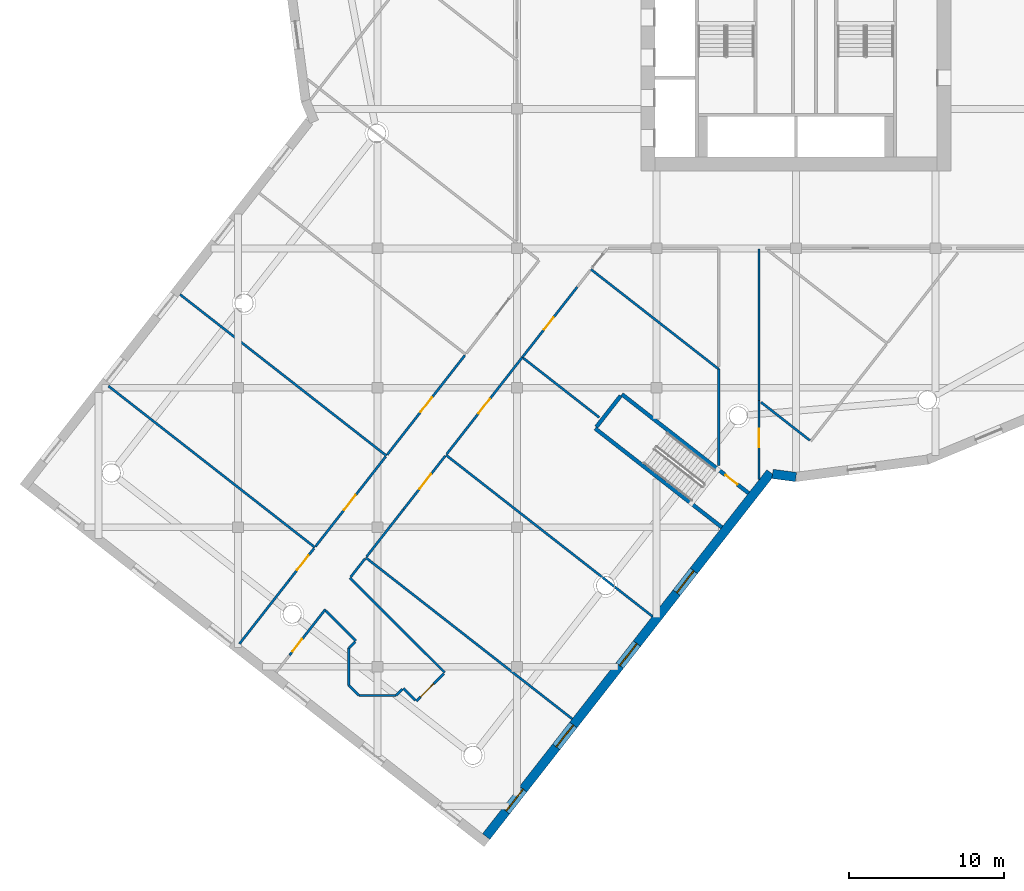
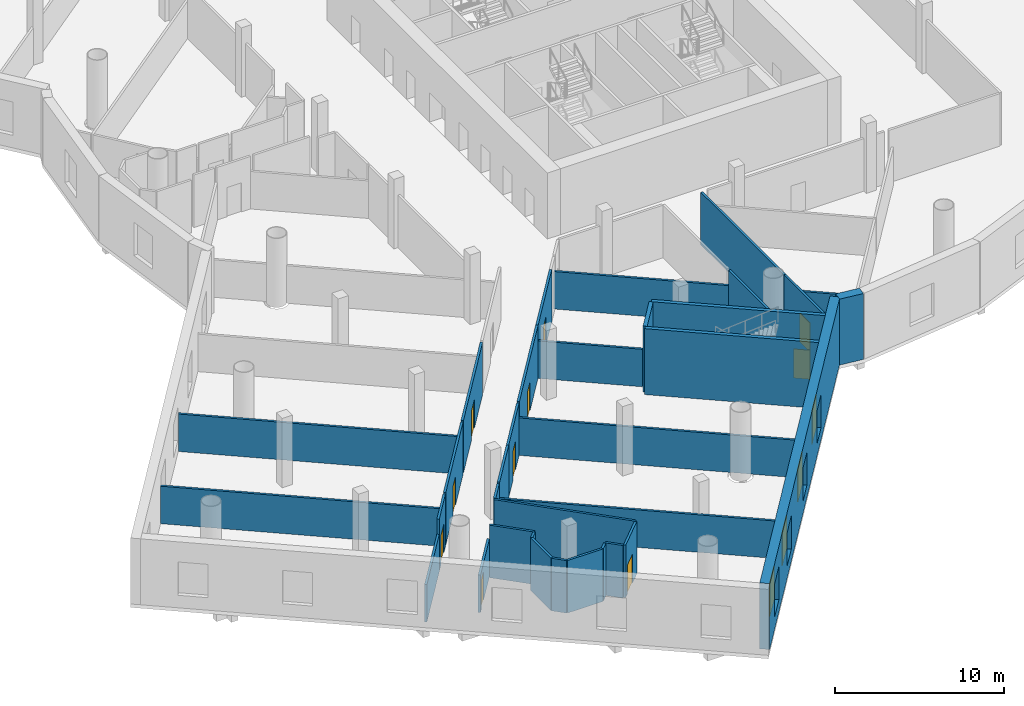
# One storey, part 5 of 22: 34 walls, 10 doors, 4 windows, 14 openings.
"""IFC4 building model written with IfcOpenShell, lengths in metres."""

from ifc_helpers import new_model, si_unit, direction, frame, frame_2d, origin, place, context, subcontext, project, spatial, rectangle, extrude, material, layer, layer_set, type_object, element, fill, save


model = new_model("IFC4")

# Units and contexts
model_context = context("Model", 3, precision=1e-05, world=origin(), true_north=direction((0.0, 1.0)))
body_context = subcontext(model_context, "Body", "Model", "MODEL_VIEW")
ifc_project = project(units=[si_unit("LENGTHUNIT", "METRE"), si_unit("AREAUNIT", "SQUARE_METRE"), si_unit("VOLUMEUNIT", "CUBIC_METRE"), si_unit("PLANEANGLEUNIT", "RADIAN"), si_unit("MASSUNIT", "GRAM", prefix="KILO")], contexts=[model_context])

# Site, building, storey
site_placement = place(None, origin())
site = spatial("IfcSite", under=ifc_project, at=site_placement, CompositionType="ELEMENT")
building_placement = place(site_placement, origin())
building = spatial("IfcBuilding", under=site, at=building_placement, Name="Tarsis Ring Headquarters", CompositionType="ELEMENT")
storey_placement = place(building_placement, frame((0.0, 0.0, 25.0)))
storey = spatial("IfcBuildingStorey", under=building, at=storey_placement, Name="L04", CompositionType="ELEMENT", Elevation=25.0)

# Walls
ifc_material_1 = material(Name="Plasterboard partition")
ifc_layer_1 = layer(ifc_material_1, 0.14990234375)
ifc_layer_set_1 = layer_set([ifc_layer_1], Name="PO-PW150")
wall_type_1 = type_object("IfcWallType", Name="PO-PW150", PredefinedType="PARTITIONING", material=ifc_layer_set_1)
wall_1_placement = place(storey_placement, frame((-27.754150390625, -37.9599609375, 0.0), z_axis=(0.0, 0.0, 1.0), x_axis=(0.788007728406, -0.615665347386, 0.0)))
element("IfcWall", 1, at=wall_1_placement, inside=storey, type_object=wall_type_1, Name="L04 partition wall 3", PredefinedType="PARTITIONING", context=body_context, shape_type="SweptSolid", body=[
    extrude(rectangle(XDim=16.900146484375, YDim=0.14990234375, at=frame_2d((8.4501953125, 0.0))), origin(), (0.0, 0.0, 1.0), 2.699951171875),
])
wall_2_placement = place(storey_placement, frame((-22.58251953125, -31.3408203125, 0.0), z_axis=(0.0, 0.0, 1.0), x_axis=(0.788014736946, -0.61565637685, 0.0)))
element("IfcWall", 2, at=wall_2_placement, inside=storey, type_object=wall_type_1, Name="L04 partition wall 6", PredefinedType="PARTITIONING", context=body_context, shape_type="SweptSolid", body=[
    extrude(rectangle(XDim=16.89990234375, YDim=0.14990234375, at=frame_2d((8.449951171875, 0.0))), origin(), (0.0, 0.0, 1.0), 2.699951171875),
])
wall_3_placement = place(storey_placement, frame((-39.741455078125, -20.980224609375, 0.0), z_axis=(0.0, 0.0, 1.0), x_axis=(0.788007728406, -0.615665347386, 0.0)))
element("IfcWall", 3, at=wall_3_placement, inside=storey, type_object=wall_type_1, Name="L04 partition wall 8", PredefinedType="PARTITIONING", context=body_context, shape_type="SweptSolid", body=[
    extrude(rectangle(XDim=16.900146484375, YDim=0.14990234375, at=frame_2d((8.4501953125, 0.0))), origin(), (0.0, 0.0, 1.0), 2.699951171875),
])
wall_4_placement = place(storey_placement, frame((-44.35888671875, -26.890380859375, 0.0), z_axis=(0.0, 0.0, 1.0), x_axis=(0.788014736946, -0.61565637685, 0.0)))
element("IfcWall", 4, at=wall_4_placement, inside=storey, type_object=wall_type_1, Name="L04 partition wall 11", PredefinedType="PARTITIONING", context=body_context, shape_type="SweptSolid", body=[
    extrude(rectangle(XDim=16.89990234375, YDim=0.14990234375, at=frame_2d((8.449951171875, 0.0))), origin(), (0.0, 0.0, 1.0), 2.699951171875),
])
wall_5_placement = place(storey_placement, frame((-13.224365234375, -19.363037109375, 0.0), z_axis=(0.0, 0.0, 1.0), x_axis=(0.788010930291, -0.61566124918, 0.0)))
element("IfcWall", 5, at=wall_5_placement, inside=storey, type_object=wall_type_1, Name="L04 partition wall 18", PredefinedType="PARTITIONING", context=body_context, shape_type="SweptSolid", body=[
    extrude(rectangle(XDim=10.462646484375, YDim=0.14990234375, at=frame_2d((5.2314453125, 0.0))), origin(), (0.0, 0.0, 1.0), 2.699951171875),
])
wall_6_placement = place(storey_placement, frame((-17.59423828125, -25.0859375, 0.0), z_axis=(0.0, 0.0, 1.0), x_axis=(0.788024373725, -0.615644041972, 0.0)))
element("IfcWall", 6, at=wall_6_placement, inside=storey, type_object=wall_type_1, Name="L04 partition wall 53", PredefinedType="PARTITIONING", context=body_context, shape_type="SweptSolid", body=[
    extrude(rectangle(XDim=6.22607421875, YDim=0.14990234375, at=frame_2d((3.113037109375, 0.0))), origin(), (0.0, 0.0, 1.0), 2.699951171875),
])
wall_7_placement = place(storey_placement, frame((-32.6982421875, -39.4169921875, 0.0), z_axis=(0.0, 0.0, 1.0), x_axis=(-0.615649500167, -0.78802010948, 0.0)))
element("IfcWall", 7, at=wall_7_placement, inside=storey, type_object=wall_type_1, Name="L04 partition wall 66", PredefinedType="PARTITIONING", context=body_context, shape_type="SweptSolid", body=[
    extrude(rectangle(XDim=5.2080078125, YDim=0.14990234375, at=frame_2d((2.60400390625, 0.0))), origin(), (0.0, 0.0, 1.0), 2.699951171875),
])
wall_8_placement = place(storey_placement, frame((-2.253662109375, -27.934326171875, 0.0), z_axis=(0.0, 0.0, 1.0), x_axis=(0.788031780435, -0.615634561265, 0.0)))
element("IfcWall", 8, at=wall_8_placement, inside=storey, type_object=wall_type_1, Name="L04 partition wall 75", PredefinedType="PARTITIONING", context=body_context, shape_type="SweptSolid", body=[
    extrude(rectangle(XDim=3.997802734375, YDim=0.14990234375, at=frame_2d((1.9990234375, 0.0))), origin(), (0.0, 0.0, 1.0), 2.699951171875),
])

# Wall, opening, door
wall_9_placement = place(storey_placement, frame((-32.68017578125, -44.263427734375, 0.0), z_axis=(0.0, 0.0, 1.0), x_axis=(0.615680524796, 0.787995870159, 0.0)))
wall_9 = element("IfcWall", 9, at=wall_9_placement, inside=storey, type_object=wall_type_1, Name="L04 partition wall 83", PredefinedType="PARTITIONING", context=body_context, shape_type="SweptSolid", body=[
    extrude(rectangle(XDim=3.765869140625, YDim=0.14990234375, at=frame_2d((1.8828125, 0.0))), origin(), (0.0, 0.0, 1.0), 2.699951171875),
])
opening_1_placement = place(wall_9_placement, frame((0.321044921875, 0.0, 0.0)))
opening_1 = element("IfcOpeningElement", 10, at=opening_1_placement, cuts=wall_9, Name="Opening PO-D1A", PredefinedType="OPENING", context=body_context, shape_type="SweptSolid", body=[
    extrude(rectangle(XDim=1.0, YDim=2.10009765625, at=frame_2d((0.5, 1.050048828125))), frame((0.0, 0.0849609375, 0.0), z_axis=(0.0, -1.0, 0.0), x_axis=(1.0, 0.0, 0.0)), (0.0, 0.0, 1.0), 0.169921875),
])
ifc_material_2 = material(Name="Timber door", Category="wood")
door_type_1 = type_object("IfcDoorType", Name="PO-D1000-UNRATED", OperationType="NOTDEFINED", PredefinedType="DOOR", material=ifc_material_2)
door_1_placement = place(opening_1_placement, origin())
door_1 = element("IfcDoor", 11, at=door_1_placement, inside=storey, type_object=door_type_1, Name="Meeting room door", OperationType="SINGLE_SWING_RIGHT", OverallHeight=2.10009765625, OverallWidth=1.0, PredefinedType="DOOR", context=body_context, shape_type="SweptSolid", body=[
    extrude(rectangle(XDim=1.0, YDim=2.10009765625, at=frame_2d((0.5, 1.050048828125))), frame((0.0, 0.02490234375, 0.0), z_axis=(0.0, -1.0, 0.0), x_axis=(1.0, 0.0, 0.0)), (0.0, 0.0, 1.0), 0.050048828125),
])
fill(opening_1, door_1)

# Walls
ifc_layer_2 = layer(ifc_material_1, 0.14990234375)
ifc_layer_set_2 = layer_set([ifc_layer_2], Name="PO-PW150R-3783")
wall_type_2 = type_object("IfcWallType", Name="PO-PW150R-3783", PredefinedType="PARTITIONING", material=ifc_layer_set_2)
wall_10_placement = place(storey_placement, frame((-2.3798828125, -18.0400390625, 0.0), z_axis=(0.0, 0.0, 1.0), x_axis=(0.0, -1.0, 0.0)))
element("IfcWall", 12, at=wall_10_placement, inside=storey, type_object=wall_type_2, Name="L04 partition wall 30", PredefinedType="PARTITIONING", context=body_context, shape_type="SweptSolid", body=[
    extrude(rectangle(XDim=9.795654296875, YDim=0.14990234375, at=frame_2d((4.89794921875, 0.0))), origin(), (0.0, 0.0, 1.0), 3.782958984375),
])
wall_11_placement = place(storey_placement, frame((-28.77783203125, -39.273681640625, 0.0), z_axis=(0.0, 0.0, 1.0), x_axis=(0.708038316482, -0.706174017076, 0.0)))
element("IfcWall", 13, at=wall_11_placement, inside=storey, type_object=wall_type_2, Name="L04 partition wall 32", PredefinedType="PARTITIONING", context=body_context, shape_type="SweptSolid", body=[
    extrude(rectangle(XDim=8.64306640625, YDim=0.14990234375, at=frame_2d((4.321533203125, 0.0))), origin(), (0.0, 0.0, 1.0), 3.782958984375),
])

# Wall, opening, door
wall_12_placement = place(storey_placement, frame((-26.375, -31.322021484375, 0.0), z_axis=(0.0, 0.0, 1.0), x_axis=(0.615670814127, 0.788003457247, 0.0)))
wall_12 = element("IfcWall", 14, at=wall_12_placement, inside=storey, type_object=wall_type_2, Name="L04 partition wall 34", PredefinedType="PARTITIONING", context=body_context, shape_type="SweptSolid", body=[
    extrude(rectangle(XDim=8.14013671875, YDim=0.14990234375, at=frame_2d((4.070068359375, 0.0))), origin(), (0.0, 0.0, 1.0), 3.782958984375),
])
opening_2_placement = place(wall_12_placement, frame((3.489990234375, 0.0, 0.0)))
opening_2 = element("IfcOpeningElement", 15, at=opening_2_placement, cuts=wall_12, Name="Opening PO-D2", PredefinedType="OPENING", context=body_context, shape_type="SweptSolid", body=[
    extrude(rectangle(XDim=1.199951171875, YDim=2.10009765625, at=frame_2d((0.60009765625, 1.050048828125))), frame((0.0, 0.0849609375, 0.0), z_axis=(0.0, -1.0, 0.0), x_axis=(1.0, 0.0, 0.0)), (0.0, 0.0, 1.0), 0.169921875),
])
door_type_2 = type_object("IfcDoorType", Name="PO-D1200", OperationType="NOTDEFINED", PredefinedType="DOOR", material=ifc_material_2)
door_2_placement = place(opening_2_placement, origin())
door_2 = element("IfcDoor", 16, at=door_2_placement, inside=storey, type_object=door_type_2, Name="Nursery sleep room door", OperationType="SINGLE_SWING_RIGHT", OverallHeight=2.10009765625, OverallWidth=1.199951171875, PredefinedType="DOOR", context=body_context, shape_type="SweptSolid", body=[
    extrude(rectangle(XDim=1.199951171875, YDim=2.10009765625, at=frame_2d((0.60009765625, 1.050048828125))), frame((0.0, 0.02490234375, 0.0), z_axis=(0.0, -1.0, 0.0), x_axis=(1.0, 0.0, 0.0)), (0.0, 0.0, 1.0), 0.050048828125),
])
fill(opening_2, door_2)

wall_13_placement = place(storey_placement, frame((-17.6572265625, -25.03662109375, 0.0), z_axis=(0.0, 0.0, 1.0), x_axis=(-0.615661389754, -0.788010820463, 0.0)))
wall_13 = element("IfcWall", 17, at=wall_13_placement, inside=storey, type_object=wall_type_2, Name="L04 partition wall 37", PredefinedType="PARTITIONING", context=body_context, shape_type="SweptSolid", body=[
    extrude(rectangle(XDim=7.919921875, YDim=0.14990234375, at=frame_2d((3.9599609375, 0.0))), origin(), (0.0, 0.0, 1.0), 3.782958984375),
])
opening_3_placement = place(wall_13_placement, frame((3.39990234375, 0.0, 0.0)))
opening_3 = element("IfcOpeningElement", 18, at=opening_3_placement, cuts=wall_13, Name="Opening PO-D2", PredefinedType="OPENING", context=body_context, shape_type="SweptSolid", body=[
    extrude(rectangle(XDim=1.199951171875, YDim=2.10009765625, at=frame_2d((0.60009765625, 1.050048828125))), frame((0.0, 0.0849609375, 0.0), z_axis=(0.0, -1.0, 0.0), x_axis=(1.0, 0.0, 0.0)), (0.0, 0.0, 1.0), 0.169921875),
])
door_3_placement = place(opening_3_placement, origin())
door_3 = element("IfcDoor", 19, at=door_3_placement, inside=storey, type_object=door_type_2, Name="Parents' room door", OperationType="SINGLE_SWING_RIGHT", OverallHeight=2.10009765625, OverallWidth=1.199951171875, PredefinedType="DOOR", context=body_context, shape_type="SweptSolid", body=[
    extrude(rectangle(XDim=1.199951171875, YDim=2.10009765625, at=frame_2d((0.60009765625, 1.050048828125))), frame((0.0, 0.02490234375, 0.0), z_axis=(0.0, -1.0, 0.0), x_axis=(1.0, 0.0, 0.0)), (0.0, 0.0, 1.0), 0.050048828125),
])
fill(opening_3, door_3)

wall_14_placement = place(storey_placement, frame((-30.992431640625, -37.23193359375, 0.0), z_axis=(0.0, 0.0, 1.0), x_axis=(0.615673087504, 0.788001681041, 0.0)))
wall_14 = element("IfcWall", 20, at=wall_14_placement, inside=storey, type_object=wall_type_2, Name="L04 partition wall 44", PredefinedType="PARTITIONING", context=body_context, shape_type="SweptSolid", body=[
    extrude(rectangle(XDim=7.340087890625, YDim=0.14990234375, at=frame_2d((3.669921875, 0.0))), origin(), (0.0, 0.0, 1.0), 3.782958984375),
])
opening_4_placement = place(wall_14_placement, frame((2.989990234375, 0.0, 0.0)))
opening_4 = element("IfcOpeningElement", 21, at=opening_4_placement, cuts=wall_14, Name="Opening PO-D2", PredefinedType="OPENING", context=body_context, shape_type="SweptSolid", body=[
    extrude(rectangle(XDim=1.199951171875, YDim=2.10009765625, at=frame_2d((0.60009765625, 1.050048828125))), frame((0.0, 0.0849609375, 0.0), z_axis=(0.0, -1.0, 0.0), x_axis=(1.0, 0.0, 0.0)), (0.0, 0.0, 1.0), 0.169921875),
])
door_4_placement = place(opening_4_placement, origin())
door_4 = element("IfcDoor", 22, at=door_4_placement, inside=storey, type_object=door_type_2, Name="Nursery office door", OperationType="SINGLE_SWING_LEFT", OverallHeight=2.10009765625, OverallWidth=1.199951171875, PredefinedType="DOOR", context=body_context, shape_type="SweptSolid", body=[
    extrude(rectangle(XDim=1.199951171875, YDim=2.10009765625, at=frame_2d((0.60009765625, 1.050048828125))), frame((0.0, 0.02490234375, 0.0), z_axis=(0.0, -1.0, 0.0), x_axis=(1.0, 0.0, 0.0)), (0.0, 0.0, 1.0), 0.050048828125),
])
fill(opening_4, door_4)

# Wall
wall_15_placement = place(storey_placement, frame((-4.979736328125, -32.014404296875, 0.0), z_axis=(0.0, 0.0, 1.0), x_axis=(0.0, 1.0, 0.0)))
element("IfcWall", 23, at=wall_15_placement, inside=storey, type_object=wall_type_2, Name="L04 partition wall 55", PredefinedType="PARTITIONING", context=body_context, shape_type="SweptSolid", body=[
    extrude(rectangle(XDim=6.2099609375, YDim=0.14990234375, at=frame_2d((3.10498046875, 0.0))), origin(), (0.0, 0.0, 1.0), 3.782958984375),
])

# Wall, opening, door
wall_16_placement = place(storey_placement, frame((-14.111328125, -20.498046875, 0.0), z_axis=(0.0, 0.0, 1.0), x_axis=(-0.615658848476, -0.788012805919, 0.0)))
wall_16 = element("IfcWall", 24, at=wall_16_placement, inside=storey, type_object=wall_type_2, Name="L04 partition wall 61", PredefinedType="PARTITIONING", context=body_context, shape_type="SweptSolid", body=[
    extrude(rectangle(XDim=5.759521484375, YDim=0.14990234375, at=frame_2d((2.8798828125, 0.0))), origin(), (0.0, 0.0, 1.0), 3.782958984375),
])
opening_5_placement = place(wall_16_placement, frame((2.5, 0.0, 0.0)))
opening_5 = element("IfcOpeningElement", 25, at=opening_5_placement, cuts=wall_16, Name="Opening PO-D1", PredefinedType="OPENING", context=body_context, shape_type="SweptSolid", body=[
    extrude(rectangle(XDim=1.0, YDim=2.10009765625, at=frame_2d((0.5, 1.050048828125))), frame((0.0, 0.0849609375, 0.0), z_axis=(0.0, -1.0, 0.0), x_axis=(1.0, 0.0, 0.0)), (0.0, 0.0, 1.0), 0.169921875),
])
door_type_3 = type_object("IfcDoorType", Name="PO-D1000", OperationType="NOTDEFINED", PredefinedType="DOOR", material=ifc_material_2)
door_5_placement = place(opening_5_placement, origin())
door_5 = element("IfcDoor", 26, at=door_5_placement, inside=storey, type_object=door_type_3, Name="Nursery office door", OperationType="SINGLE_SWING_LEFT", OverallHeight=2.10009765625, OverallWidth=1.0, PredefinedType="DOOR", context=body_context, shape_type="SweptSolid", body=[
    extrude(rectangle(XDim=1.0, YDim=2.10009765625, at=frame_2d((0.5, 1.050048828125))), frame((0.0, 0.02490234375, 0.0), z_axis=(0.0, -1.0, 0.0), x_axis=(1.0, 0.0, 0.0)), (0.0, 0.0, 1.0), 0.050048828125),
])
fill(opening_5, door_5)

wall_17_placement = place(storey_placement, frame((-2.3798828125, -27.8369140625, 0.0), z_axis=(0.0, 0.0, 1.0), x_axis=(0.0, -1.0, 0.0)))
wall_17 = element("IfcWall", 27, at=wall_17_placement, inside=storey, type_object=wall_type_2, Name="L04 partition wall 68", PredefinedType="PARTITIONING", context=body_context, shape_type="SweptSolid", body=[
    extrude(rectangle(XDim=5.095703125, YDim=0.14990234375, at=frame_2d((2.5478515625, 0.0))), origin(), (0.0, 0.0, 1.0), 3.782958984375),
])
opening_6_placement = place(wall_17_placement, frame((1.798583984375, 0.0, 0.0)))
opening_6 = element("IfcOpeningElement", 28, at=opening_6_placement, cuts=wall_17, Name="Opening PO-D2", PredefinedType="OPENING", context=body_context, shape_type="SweptSolid", body=[
    extrude(rectangle(XDim=1.199951171875, YDim=2.10009765625, at=frame_2d((0.60009765625, 1.050048828125))), frame((0.0, 0.0849609375, 0.0), z_axis=(0.0, -1.0, 0.0), x_axis=(1.0, 0.0, 0.0)), (0.0, 0.0, 1.0), 0.169921875),
])
door_6_placement = place(opening_6_placement, origin())
door_6 = element("IfcDoor", 29, at=door_6_placement, inside=storey, type_object=door_type_2, Name="Air handling room door", OperationType="SINGLE_SWING_RIGHT", OverallHeight=2.10009765625, OverallWidth=1.199951171875, PredefinedType="DOOR", context=body_context, shape_type="SweptSolid", body=[
    extrude(rectangle(XDim=1.199951171875, YDim=2.10009765625, at=frame_2d((0.60009765625, 1.050048828125))), frame((0.0, 0.02490234375, 0.0), z_axis=(0.0, -1.0, 0.0), x_axis=(1.0, 0.0, 0.0)), (0.0, 0.0, 1.0), 0.050048828125),
])
fill(opening_6, door_6)

wall_18_placement = place(storey_placement, frame((-22.6318359375, -31.40380859375, 0.0), z_axis=(0.0, 0.0, 1.0), x_axis=(-0.615680930371, -0.787995553273, 0.0)))
wall_18 = element("IfcWall", 30, at=wall_18_placement, inside=storey, type_object=wall_type_2, Name="L04 partition wall 71", PredefinedType="PARTITIONING", context=body_context, shape_type="SweptSolid", body=[
    extrude(rectangle(XDim=4.36669921875, YDim=0.14990234375, at=frame_2d((2.183349609375, 0.0))), origin(), (0.0, 0.0, 1.0), 3.782958984375),
])
opening_7_placement = place(wall_18_placement, frame((1.489990234375, 0.0, 0.0)))
opening_7 = element("IfcOpeningElement", 31, at=opening_7_placement, cuts=wall_18, Name="Opening PO-D2", PredefinedType="OPENING", context=body_context, shape_type="SweptSolid", body=[
    extrude(rectangle(XDim=1.199951171875, YDim=2.10009765625, at=frame_2d((0.60009765625, 1.050048828125))), frame((0.0, 0.0849609375, 0.0), z_axis=(0.0, -1.0, 0.0), x_axis=(1.0, 0.0, 0.0)), (0.0, 0.0, 1.0), 0.169921875),
])
door_7_placement = place(opening_7_placement, origin())
door_7 = element("IfcDoor", 32, at=door_7_placement, inside=storey, type_object=door_type_2, Name="Nursery kitchenette door", OperationType="SINGLE_SWING_LEFT", OverallHeight=2.10009765625, OverallWidth=1.199951171875, PredefinedType="DOOR", context=body_context, shape_type="SweptSolid", body=[
    extrude(rectangle(XDim=1.199951171875, YDim=2.10009765625, at=frame_2d((0.60009765625, 1.050048828125))), frame((0.0, 0.02490234375, 0.0), z_axis=(0.0, -1.0, 0.0), x_axis=(1.0, 0.0, 0.0)), (0.0, 0.0, 1.0), 0.050048828125),
])
fill(opening_7, door_7)

# Walls
wall_19_placement = place(storey_placement, frame((-25.3203125, -34.8447265625, 0.0), z_axis=(0.0, 0.0, 1.0), x_axis=(-0.615636702827, -0.788030107377, 0.0)))
element("IfcWall", 33, at=wall_19_placement, inside=storey, type_object=wall_type_2, Name="L04 partition wall 81", PredefinedType="PARTITIONING", context=body_context, shape_type="SweptSolid", body=[
    extrude(rectangle(XDim=3.873291015625, YDim=0.14990234375, at=frame_2d((1.9365234375, 0.0))), origin(), (0.0, 0.0, 1.0), 3.782958984375),
])
wall_20_placement = place(storey_placement, frame((-28.390625, -43.337646484375, 0.0), z_axis=(0.0, 0.0, 1.0), x_axis=(-0.708042489487, 0.706169833029, 0.0)))
element("IfcWall", 34, at=wall_20_placement, inside=storey, type_object=wall_type_2, Name="L04 partition wall 90", PredefinedType="PARTITIONING", context=body_context, shape_type="SweptSolid", body=[
    extrude(rectangle(XDim=2.73779296875, YDim=0.14990234375, at=frame_2d((1.368896484375, 0.0))), origin(), (0.0, 0.0, 1.0), 3.782958984375),
])

# Wall, opening, door
wall_21_placement = place(storey_placement, frame((-32.698974609375, -39.41650390625, 0.0), z_axis=(0.0, 0.0, 1.0), x_axis=(0.615660365794, 0.788011620466, 0.0)))
wall_21 = element("IfcWall", 35, at=wall_21_placement, inside=storey, type_object=wall_type_2, Name="L04 partition wall 96", PredefinedType="PARTITIONING", context=body_context, shape_type="SweptSolid", body=[
    extrude(rectangle(XDim=2.612060546875, YDim=0.14990234375, at=frame_2d((1.30615234375, 0.0))), origin(), (0.0, 0.0, 1.0), 3.782958984375),
])
opening_8_placement = place(wall_21_placement, frame((0.820068359375, 0.0, 0.0)))
opening_8 = element("IfcOpeningElement", 36, at=opening_8_placement, cuts=wall_21, Name="Opening PO-D2", PredefinedType="OPENING", context=body_context, shape_type="SweptSolid", body=[
    extrude(rectangle(XDim=1.199951171875, YDim=2.10009765625, at=frame_2d((0.60009765625, 1.050048828125))), frame((0.0, 0.0849609375, 0.0), z_axis=(0.0, -1.0, 0.0), x_axis=(1.0, 0.0, 0.0)), (0.0, 0.0, 1.0), 0.169921875),
])
door_8_placement = place(opening_8_placement, origin())
door_8 = element("IfcDoor", 37, at=door_8_placement, inside=storey, type_object=door_type_2, Name="Parents' room door", OperationType="SINGLE_SWING_RIGHT", OverallHeight=2.10009765625, OverallWidth=1.199951171875, PredefinedType="DOOR", context=body_context, shape_type="SweptSolid", body=[
    extrude(rectangle(XDim=1.199951171875, YDim=2.10009765625, at=frame_2d((0.60009765625, 1.050048828125))), frame((0.0, 0.02490234375, 0.0), z_axis=(0.0, -1.0, 0.0), x_axis=(1.0, 0.0, 0.0)), (0.0, 0.0, 1.0), 0.050048828125),
])
fill(opening_8, door_8)

wall_22_placement = place(storey_placement, frame((-22.71484375, -45.4365234375, 0.0), z_axis=(0.0, 0.0, 1.0), x_axis=(-0.706137346328, -0.70807488878, 0.0)))
wall_22 = element("IfcWall", 38, at=wall_22_placement, inside=storey, type_object=wall_type_2, Name="L04 partition wall 98", PredefinedType="PARTITIONING", context=body_context, shape_type="SweptSolid", body=[
    extrude(rectangle(XDim=2.52001953125, YDim=0.14990234375, at=frame_2d((1.260009765625, 0.0))), origin(), (0.0, 0.0, 1.0), 3.782958984375),
])
opening_9_placement = place(wall_22_placement, frame((0.932373046875, 0.0, 0.0)))
opening_9 = element("IfcOpeningElement", 39, at=opening_9_placement, cuts=wall_22, Name="Opening PO-D2", PredefinedType="OPENING", context=body_context, shape_type="SweptSolid", body=[
    extrude(rectangle(XDim=1.199951171875, YDim=2.10009765625, at=frame_2d((0.60009765625, 1.050048828125))), frame((0.0, 0.0849609375, 0.0), z_axis=(0.0, -1.0, 0.0), x_axis=(1.0, 0.0, 0.0)), (0.0, 0.0, 1.0), 0.169921875),
])
door_9_placement = place(opening_9_placement, origin())
door_9 = element("IfcDoor", 40, at=door_9_placement, inside=storey, type_object=door_type_2, Name="Nursery playroom door", OperationType="SINGLE_SWING_RIGHT", OverallHeight=2.10009765625, OverallWidth=1.199951171875, PredefinedType="DOOR", context=body_context, shape_type="SweptSolid", body=[
    extrude(rectangle(XDim=1.199951171875, YDim=2.10009765625, at=frame_2d((0.60009765625, 1.050048828125))), frame((0.0, 0.02490234375, 0.0), z_axis=(0.0, -1.0, 0.0), x_axis=(1.0, 0.0, 0.0)), (0.0, 0.0, 1.0), 0.050048828125),
])
fill(opening_9, door_9)

# Walls
for number, where, z_axis, x_axis, name in (
    (41, (-25.800048828125, -46.85205078125, 0.0), (0.0, 0.0, 1.0), (-1.0, 0.0, 0.0), "L04 partition wall 103"),
    (42, (-28.85205078125, -46.199951171875, 0.0), (0.0, 0.0, 1.0), (0.0, 1.0, 0.0), "L04 partition wall 104"),
):
    element("IfcWall", number, at=place(storey_placement, frame(where, z_axis=z_axis, x_axis=x_axis)), inside=storey, type_object=wall_type_2, Name=name, PredefinedType="PARTITIONING", context=body_context, shape_type="SweptSolid", body=[
        extrude(rectangle(XDim=2.39990234375, YDim=0.14990234375, at=frame_2d((1.199951171875, 0.0))), origin(), (0.0, 0.0, 1.0), 3.782958984375),
    ])
wall_23_placement = place(storey_placement, frame((-27.802978515625, -38.02587890625, 0.0), z_axis=(0.0, 0.0, 1.0), x_axis=(-0.615603075507, -0.788056377061, 0.0)))
element("IfcWall", 43, at=wall_23_placement, inside=storey, type_object=wall_type_2, Name="L04 partition wall 122", PredefinedType="PARTITIONING", context=body_context, shape_type="SweptSolid", body=[
    extrude(rectangle(XDim=1.50341796875, YDim=0.14990234375, at=frame_2d((0.751708984375, 0.0))), origin(), (0.0, 0.0, 1.0), 3.782958984375),
])
wall_24_placement = place(storey_placement, frame((-24.5537109375, -47.164306640625, 0.0), z_axis=(0.0, 0.0, 1.0), x_axis=(-0.708103406594, 0.70610874911, 0.0)))
element("IfcWall", 44, at=wall_24_placement, inside=storey, type_object=wall_type_2, Name="L04 partition wall 134", PredefinedType="PARTITIONING", context=body_context, shape_type="SweptSolid", body=[
    extrude(rectangle(XDim=1.1015625, YDim=0.14990234375, at=frame_2d((0.55078125, 0.0))), origin(), (0.0, 0.0, 1.0), 3.782958984375),
])
wall_25_placement = place(storey_placement, frame((-28.201416015625, -46.851318359375, 0.0), z_axis=(0.0, 0.0, 1.0), x_axis=(-0.707106781187, 0.707106781187, 0.0)))
element("IfcWall", 45, at=wall_25_placement, inside=storey, type_object=wall_type_2, Name="L04 partition wall 149", PredefinedType="PARTITIONING", context=body_context, shape_type="SweptSolid", body=[
    extrude(rectangle(XDim=0.919189453125, YDim=0.14990234375, at=frame_2d((0.45947265625, 0.0))), origin(), (0.0, 0.0, 1.0), 3.782958984375),
])
wall_26_placement = place(storey_placement, frame((-25.390380859375, -46.443115234375, 0.0), z_axis=(0.0, 0.0, 1.0), x_axis=(-0.707106781187, -0.707106781187, 0.0)))
element("IfcWall", 46, at=wall_26_placement, inside=storey, type_object=wall_type_2, Name="L04 partition wall 152", PredefinedType="PARTITIONING", context=body_context, shape_type="SweptSolid", body=[
    extrude(rectangle(XDim=0.577392578125, YDim=0.14990234375, at=frame_2d((0.28857421875, 0.0))), origin(), (0.0, 0.0, 1.0), 3.782958984375),
])
wall_27_placement = place(storey_placement, frame((-28.851318359375, -43.798583984375, 0.0), z_axis=(0.0, 0.0, 1.0), x_axis=(0.707106781187, 0.707106781187, 0.0)))
element("IfcWall", 47, at=wall_27_placement, inside=storey, type_object=wall_type_2, Name="L04 partition wall 153", PredefinedType="PARTITIONING", context=body_context, shape_type="SweptSolid", body=[
    extrude(rectangle(XDim=0.57177734375, YDim=0.14990234375, at=frame_2d((0.285888671875, 0.0))), origin(), (0.0, 0.0, 1.0), 3.782958984375),
])

# Wall, opening, door
ifc_material_3 = material(Name="Concrete C40/50", Category="concrete")
ifc_layer_3 = layer(ifc_material_3, 0.25)
ifc_layer_set_3 = layer_set([ifc_layer_3], Name="PO-W250")
wall_type_3 = type_object("IfcWallType", Name="PO-W250", PredefinedType="SOLIDWALL", material=ifc_layer_set_3)
wall_28_placement = place(storey_placement, frame((-11.23193359375, -27.41943359375, 0.0), z_axis=(0.0, 0.0, 1.0), x_axis=(0.788273447376, -0.615325094696, 0.0)))
wall_28 = element("IfcWall", 48, at=wall_28_placement, inside=storey, type_object=wall_type_3, Name="L04 shaft wall 19", PredefinedType="SOLIDWALL", context=body_context, shape_type="SweptSolid", body=[
    extrude(rectangle(XDim=10.369873046875, YDim=0.25, at=frame_2d((5.18505859375, 0.0))), origin(), (0.0, 0.0, 1.0), 4.75),
])
opening_10_placement = place(wall_28_placement, frame((8.465087890625, 0.0, 0.0)))
opening_10 = element("IfcOpeningElement", 49, at=opening_10_placement, cuts=wall_28, Name="Opening PO-D3", PredefinedType="OPENING", context=body_context, shape_type="SweptSolid", body=[
    extrude(rectangle(XDim=1.0, YDim=2.10009765625, at=frame_2d((0.5, 1.050048828125))), frame((0.0, 0.135009765625, 0.0), z_axis=(0.0, -1.0, 0.0), x_axis=(1.0, 0.0, 0.0)), (0.0, 0.0, 1.0), 0.27001953125),
])
ifc_material_4 = material(Name="Steel fire door", Category="steel")
door_type_4 = type_object("IfcDoorType", Name="PO-D1000F", OperationType="SINGLE_SWING_LEFT", PredefinedType="DOOR", material=ifc_material_4)
door_10_placement = place(opening_10_placement, origin())
door_10 = element("IfcDoor", 50, at=door_10_placement, inside=storey, type_object=door_type_4, Name="Exit stair 2 door", OperationType="SINGLE_SWING_LEFT", OverallHeight=2.10009765625, OverallWidth=1.0, PredefinedType="DOOR", context=body_context, shape_type="SweptSolid", body=[
    extrude(rectangle(XDim=1.0, YDim=2.10009765625, at=frame_2d((0.5, 1.050048828125))), frame((0.0, 0.02490234375, 0.0), z_axis=(0.0, -1.0, 0.0), x_axis=(1.0, 0.0, 0.0)), (0.0, 0.0, 1.0), 0.050048828125),
])
fill(opening_10, door_10)

# Walls
wall_29_placement = place(storey_placement, frame((-4.781494140625, -36.006591796875, 0.0), z_axis=(0.0, 0.0, 1.0), x_axis=(-0.788283470415, 0.615312254283, 0.0)))
element("IfcWall", 51, at=wall_29_placement, inside=storey, type_object=wall_type_3, Name="L04 shaft wall 21", PredefinedType="SOLIDWALL", context=body_context, shape_type="SweptSolid", body=[
    extrude(rectangle(XDim=10.368408203125, YDim=0.25, at=frame_2d((5.18408203125, 0.0))), origin(), (0.0, 0.0, 1.0), 4.75),
])
wall_30_placement = place(storey_placement, frame((-12.875, -29.524169921875, 0.0), z_axis=(0.0, 0.0, 1.0), x_axis=(0.615343695919, 0.788258926935, 0.0)))
element("IfcWall", 52, at=wall_30_placement, inside=storey, type_object=wall_type_3, Name="L04 shaft wall 95", PredefinedType="SOLIDWALL", context=body_context, shape_type="SweptSolid", body=[
    extrude(rectangle(XDim=2.5400390625, YDim=0.25, at=frame_2d((1.27001953125, 0.0))), origin(), (0.0, 0.0, 1.0), 4.75),
])

# Wall, openings, windows
ifc_material_5 = material(Name="Concrete C60/75", Category="concrete")
ifc_layer_4 = layer(ifc_material_5, 0.60009765625)
ifc_layer_set_4 = layer_set([ifc_layer_4], Name="PO-W600")
wall_type_4 = type_object("IfcWallType", Name="PO-W600", PredefinedType="SOLIDWALL", material=ifc_layer_set_4)
wall_31_placement = place(storey_placement, frame((-19.987548828125, -55.956787109375, 0.0), z_axis=(0.0, 0.0, 1.0), x_axis=(0.615659303268, 0.7880124506, 0.0)))
wall_31 = element("IfcWall", 53, at=wall_31_placement, inside=storey, type_object=wall_type_4, Name="L04 external wall 8", PredefinedType="SOLIDWALL", context=body_context, shape_type="SweptSolid", body=[
    extrude(rectangle(XDim=29.802001953125, YDim=0.60009765625, at=frame_2d((14.90087890625, 0.0))), origin(), (0.0, 0.0, 1.0), 4.75),
])
opening_11_placement = place(wall_31_placement, frame((2.080078125, 0.0, 0.89990234375)))
opening_11 = element("IfcOpeningElement", 54, at=opening_11_placement, cuts=wall_31, Name="Opening PO-WN1", PredefinedType="OPENING", context=body_context, shape_type="SweptSolid", body=[
    extrude(rectangle(XDim=1.800048828125, YDim=2.39990234375, at=frame_2d((0.89990234375, 1.199951171875))), frame((0.0, 0.31005859375, 0.0), z_axis=(0.0, -1.0, 0.0), x_axis=(1.0, 0.0, 0.0)), (0.0, 0.0, 1.0), 0.6201171875),
])
opening_12_placement = place(wall_31_placement, frame((7.340576171875, 0.0, 0.89990234375)))
opening_12 = element("IfcOpeningElement", 55, at=opening_12_placement, cuts=wall_31, Name="Opening PO-WN1", PredefinedType="OPENING", context=body_context, shape_type="SweptSolid", body=[
    extrude(rectangle(XDim=1.800048828125, YDim=2.39990234375, at=frame_2d((0.89990234375, 1.199951171875))), frame((0.0, 0.31005859375, 0.0), z_axis=(0.0, -1.0, 0.0), x_axis=(1.0, 0.0, 0.0)), (0.0, 0.0, 1.0), 0.6201171875),
])
opening_13_placement = place(wall_31_placement, frame((14.0009765625, 0.0, 0.89990234375)))
opening_13 = element("IfcOpeningElement", 56, at=opening_13_placement, cuts=wall_31, Name="Opening PO-WN1", PredefinedType="OPENING", context=body_context, shape_type="SweptSolid", body=[
    extrude(rectangle(XDim=1.800048828125, YDim=2.39990234375, at=frame_2d((0.89990234375, 1.199951171875))), frame((0.0, 0.31005859375, 0.0), z_axis=(0.0, -1.0, 0.0), x_axis=(1.0, 0.0, 0.0)), (0.0, 0.0, 1.0), 0.6201171875),
])
opening_14_placement = place(wall_31_placement, frame((19.96142578125, 0.0, 0.89990234375)))
opening_14 = element("IfcOpeningElement", 57, at=opening_14_placement, cuts=wall_31, Name="Opening PO-WN1", PredefinedType="OPENING", context=body_context, shape_type="SweptSolid", body=[
    extrude(rectangle(XDim=1.800048828125, YDim=2.39990234375, at=frame_2d((0.89990234375, 1.199951171875))), frame((0.0, 0.31005859375, 0.0), z_axis=(0.0, -1.0, 0.0), x_axis=(1.0, 0.0, 0.0)), (0.0, 0.0, 1.0), 0.6201171875),
])
ifc_material_6 = material(Name="Double glazing", Category="glass")
window_type = type_object("IfcWindowType", Name="PO-WN1800", PartitioningType="SINGLE_PANEL", PredefinedType="WINDOW", material=ifc_material_6)
window_1_placement = place(opening_11_placement, origin())
window_1 = element("IfcWindow", 58, at=window_1_placement, inside=storey, type_object=window_type, Name="L04 window 8.1", OverallHeight=2.39990234375, OverallWidth=1.800048828125, PartitioningType="SINGLE_PANEL", PredefinedType="WINDOW", context=body_context, shape_type="SweptSolid", body=[
    extrude(rectangle(XDim=1.800048828125, YDim=2.39990234375, at=frame_2d((0.89990234375, 1.199951171875))), frame((0.0, 0.030029296875, 0.0), z_axis=(0.0, -1.0, 0.0), x_axis=(1.0, 0.0, 0.0)), (0.0, 0.0, 1.0), 0.06005859375),
])
fill(opening_11, window_1)
window_2_placement = place(opening_12_placement, origin())
window_2 = element("IfcWindow", 59, at=window_2_placement, inside=storey, type_object=window_type, Name="L04 window 8.2", OverallHeight=2.39990234375, OverallWidth=1.800048828125, PartitioningType="SINGLE_PANEL", PredefinedType="WINDOW", context=body_context, shape_type="SweptSolid", body=[
    extrude(rectangle(XDim=1.800048828125, YDim=2.39990234375, at=frame_2d((0.89990234375, 1.199951171875))), frame((0.0, 0.030029296875, 0.0), z_axis=(0.0, -1.0, 0.0), x_axis=(1.0, 0.0, 0.0)), (0.0, 0.0, 1.0), 0.06005859375),
])
fill(opening_12, window_2)
window_3_placement = place(opening_13_placement, origin())
window_3 = element("IfcWindow", 60, at=window_3_placement, inside=storey, type_object=window_type, Name="L04 window 8.3", OverallHeight=2.39990234375, OverallWidth=1.800048828125, PartitioningType="SINGLE_PANEL", PredefinedType="WINDOW", context=body_context, shape_type="SweptSolid", body=[
    extrude(rectangle(XDim=1.800048828125, YDim=2.39990234375, at=frame_2d((0.89990234375, 1.199951171875))), frame((0.0, 0.030029296875, 0.0), z_axis=(0.0, -1.0, 0.0), x_axis=(1.0, 0.0, 0.0)), (0.0, 0.0, 1.0), 0.06005859375),
])
fill(opening_13, window_3)
window_4_placement = place(opening_14_placement, origin())
window_4 = element("IfcWindow", 61, at=window_4_placement, inside=storey, type_object=window_type, Name="L04 window 8.4", OverallHeight=2.39990234375, OverallWidth=1.800048828125, PartitioningType="SINGLE_PANEL", PredefinedType="WINDOW", context=body_context, shape_type="SweptSolid", body=[
    extrude(rectangle(XDim=1.800048828125, YDim=2.39990234375, at=frame_2d((0.89990234375, 1.199951171875))), frame((0.0, 0.030029296875, 0.0), z_axis=(0.0, -1.0, 0.0), x_axis=(1.0, 0.0, 0.0)), (0.0, 0.0, 1.0), 0.06005859375),
])
fill(opening_14, window_4)

# Wall
wall_32_placement = place(storey_placement, frame((-1.510498046875, -32.55908203125, 0.0), z_axis=(0.0, 0.0, 1.0), x_axis=(0.991455931764, -0.130442076686, 0.0)))
element("IfcWall", 62, at=wall_32_placement, inside=storey, type_object=wall_type_4, Name="L04 external wall 9", PredefinedType="SOLIDWALL", context=body_context, shape_type="SweptSolid", body=[
    extrude(rectangle(XDim=1.5234375, YDim=0.60009765625, at=frame_2d((0.76171875, 0.0))), origin(), (0.0, 0.0, 1.0), 4.75),
])

save(model, "model.ifc")
